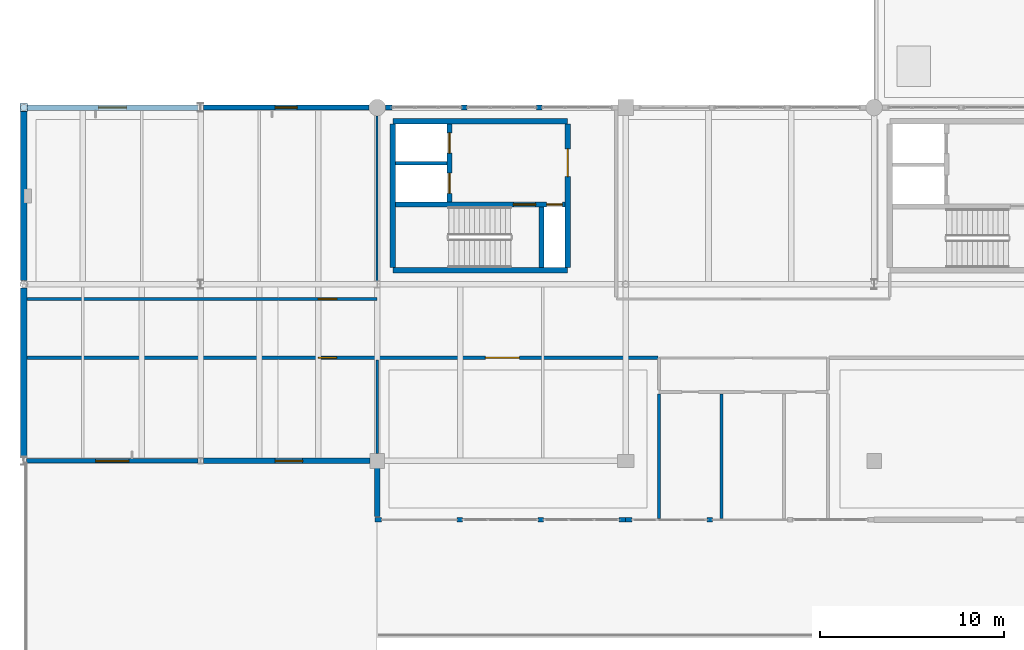
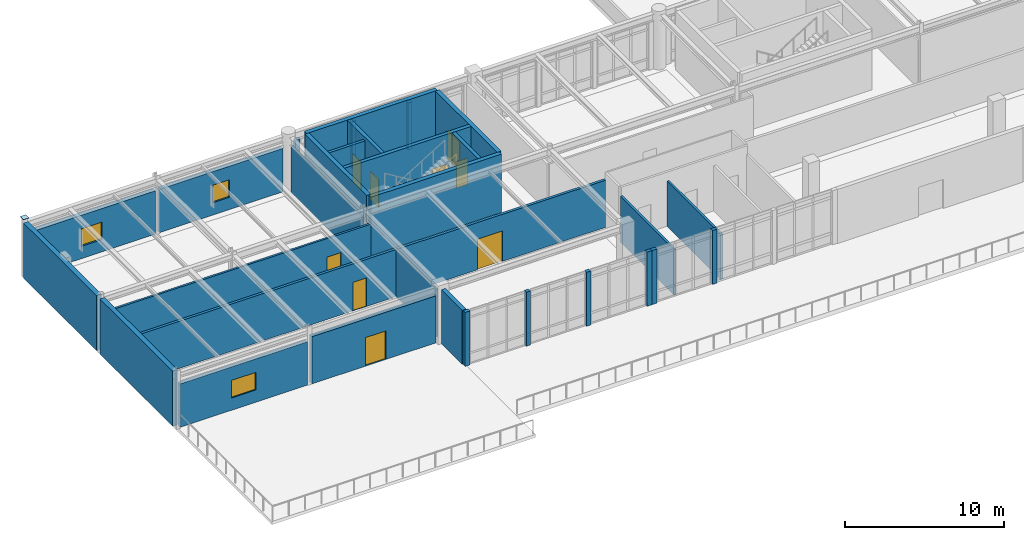
# One storey, part 47 of 55: 30 walls, 9 doors, 3 windows, 1 plate, 12 openings.
"""IFC4 building model written with IfcOpenShell, lengths in metres."""

from ifc_helpers import new_model, si_unit, direction, frame, frame_2d, origin, origin_2d, place, context, subcontext, project, spatial, rectangle, extrude, material, layer, layer_set, type_object, element, fill, save


model = new_model("IFC4")

# Units and contexts
model_context = context("Model", 3, precision=1e-05, world=origin(), true_north=direction((0.0, 1.0)))
body_context = subcontext(model_context, "Body", "Model", "MODEL_VIEW")
ifc_project = project(units=[si_unit("LENGTHUNIT", "METRE"), si_unit("AREAUNIT", "SQUARE_METRE"), si_unit("VOLUMEUNIT", "CUBIC_METRE"), si_unit("PLANEANGLEUNIT", "RADIAN"), si_unit("MASSUNIT", "GRAM", prefix="KILO")], contexts=[model_context])

# Site, building, storey
site_placement = place(None, origin())
site = spatial("IfcSite", under=ifc_project, at=site_placement, CompositionType="ELEMENT")
building_placement = place(site_placement, origin())
building = spatial("IfcBuilding", under=site, at=building_placement, Name="Fikremerkos Civic Library", CompositionType="ELEMENT")
storey_placement = place(building_placement, frame((0.0, 0.0, 18.89990234375)))
storey = spatial("IfcBuildingStorey", under=building, at=storey_placement, Name="L04", CompositionType="ELEMENT", Elevation=18.89990234375)

# Plate
ifc_material_1 = material(Name="Steel S355", Category="steel")
ifc_layer_1 = layer(ifc_material_1, 0.02490234375, Name="Steel S355")
ifc_layer_set_1 = layer_set([ifc_layer_1], Name="Steel S355")
plate_type = type_object("IfcPlateType", Name="Steel gusset cap plate GSP-04 420x420x25", PredefinedType="USERDEFINED", material=ifc_layer_set_1)
plate_placement = place(storey_placement, frame((0.0, 31.199951171875, 4.500244140625), z_axis=(0.0, 0.0, 1.0), x_axis=(1.0, 0.0, 0.0)))
element("IfcPlate", 1, at=plate_placement, inside=storey, type_object=plate_type, Name="Steel gusset cap plate GSP-04 #68", ObjectType="GUSSET PLATE", PredefinedType="USERDEFINED", context=body_context, shape_type="SweptSolid", body=[
    extrude(rectangle(XDim=0.419921875, YDim=0.419921875, at=origin_2d()), origin(), (0.0, 0.0, 1.0), 0.02490234375),
])

# Walls
ifc_material_2 = material(Name="Concrete C40/50", Category="concrete")
ifc_layer_2 = layer(ifc_material_2, 0.300048828125, Name="Concrete C40/50")
ifc_layer_set_2 = layer_set([ifc_layer_2], Name="Concrete C40/50")
wall_type_1 = type_object("IfcWallType", Name="Core shear wall CSW-01 300", PredefinedType="SHEAR", material=ifc_layer_set_2)
for number, where, z_axis, x_axis, name in (
    (2, (29.550048828125, 22.35009765625, 0.0), (0.0, 0.0, 1.0), (-1.0, 0.0, 0.0), "Core K1 south shear wall L04"),
    (3, (20.050048828125, 30.449951171875, 0.0), (0.0, 0.0, 1.0), (1.0, 0.0, 0.0), "Core K1 north shear wall L04"),
):
    element("IfcWall", number, at=place(storey_placement, frame(where, z_axis=z_axis, x_axis=x_axis)), inside=storey, type_object=wall_type_1, Name=name, PredefinedType="SHEAR", context=body_context, shape_type="SweptSolid", body=[
        extrude(rectangle(XDim=9.5, YDim=0.300048828125, at=frame_2d((4.75, 0.0))), origin(), (0.0, 0.0, 1.0), 4.5),
    ])
wall_1_placement = place(storey_placement, frame((20.050048828125, 22.501953125, 0.0), z_axis=(0.0, 0.0, 1.0), x_axis=(0.0, 1.0, 0.0)))
element("IfcWall", 4, at=wall_1_placement, inside=storey, type_object=wall_type_1, Name="Core K1 west shear wall L04", PredefinedType="SHEAR", context=body_context, shape_type="SweptSolid", body=[
    extrude(rectangle(XDim=7.796142578125, YDim=0.300048828125, at=frame_2d((3.89794921875, 0.0))), origin(), (0.0, 0.0, 1.0), 4.5),
])

# Wall, opening, door
wall_2_placement = place(storey_placement, frame((29.550048828125, 30.298095703125, 0.0), z_axis=(0.0, 0.0, 1.0), x_axis=(0.0, -1.0, 0.0)))
wall_2 = element("IfcWall", 5, at=wall_2_placement, inside=storey, type_object=wall_type_1, Name="Core K1 east shear wall L04", PredefinedType="SHEAR", context=body_context, shape_type="SweptSolid", body=[
    extrude(rectangle(XDim=7.796142578125, YDim=0.300048828125, at=frame_2d((3.89794921875, 0.0))), origin(), (0.0, 0.0, 1.0), 4.5),
])
opening_1_placement = place(wall_2_placement, frame((1.347900390625, 0.0, 0.0)))
opening_1 = element("IfcOpeningElement", 6, at=opening_1_placement, cuts=wall_2, Name="Opening D047", PredefinedType="OPENING", context=body_context, shape_type="SweptSolid", body=[
    extrude(rectangle(XDim=1.5, YDim=2.25, at=frame_2d((0.75, 1.125))), frame((0.0, 0.159912109375, 0.0), z_axis=(0.0, -1.0, 0.0), x_axis=(1.0, 0.0, 0.0)), (0.0, 0.0, 1.0), 0.320068359375),
])
ifc_material_3 = material(Name="Hardwood timber and acoustic glass", Category="wood")
door_type_1 = type_object("IfcDoorType", Name="Pedestrian door DT-05 1500x2250", OperationType="NOTDEFINED", PredefinedType="DOOR", material=ifc_material_3)
door_1_placement = place(opening_1_placement, origin())
door_1 = element("IfcDoor", 7, at=door_1_placement, inside=storey, type_object=door_type_1, Name="Core K1 lobby fire door D047 L04", OperationType="SINGLE_SWING_RIGHT", OverallHeight=2.25, OverallWidth=1.5, PredefinedType="DOOR", context=body_context, shape_type="SweptSolid", body=[
    extrude(rectangle(XDim=1.5, YDim=2.25, at=frame_2d((0.75, 1.125))), frame((0.0, 0.032470703125, 0.0), z_axis=(0.0, -1.0, 0.0), x_axis=(1.0, 0.0, 0.0)), (0.0, 0.0, 1.0), 0.06494140625),
])
fill(opening_1, door_1)

# Wall, openings, doors
ifc_layer_3 = layer(ifc_material_2, 0.260009765625, Name="Concrete C40/50")
ifc_layer_set_3 = layer_set([ifc_layer_3], Name="Concrete C40/50")
wall_type_2 = type_object("IfcWallType", Name="Core shear wall CSW-02 260", PredefinedType="SHEAR", material=ifc_layer_set_3)
wall_3_placement = place(storey_placement, frame((20.201904296875, 25.929931640625, 0.0), z_axis=(0.0, 0.0, 1.0), x_axis=(1.0, 0.0, 0.0)))
wall_3 = element("IfcWall", 8, at=wall_3_placement, inside=storey, type_object=wall_type_2, Name="Core K1 stair compartment wall L04", PredefinedType="SHEAR", context=body_context, shape_type="SweptSolid", body=[
    extrude(rectangle(XDim=9.196044921875, YDim=0.260009765625, at=frame_2d((4.59814453125, 0.0))), origin(), (0.0, 0.0, 1.0), 4.5),
])
opening_2_placement = place(wall_3_placement, frame((6.39794921875, 0.0, 0.0)))
opening_2 = element("IfcOpeningElement", 9, at=opening_2_placement, cuts=wall_3, Name="Opening D048", PredefinedType="OPENING", context=body_context, shape_type="SweptSolid", body=[
    extrude(rectangle(XDim=1.199951171875, YDim=2.199951171875, at=frame_2d((0.60009765625, 1.10009765625))), frame((0.0, 0.139892578125, 0.0), z_axis=(0.0, -1.0, 0.0), x_axis=(1.0, 0.0, 0.0)), (0.0, 0.0, 1.0), 0.280029296875),
])
opening_3_placement = place(wall_3_placement, frame((8.202880859375, 0.0, 0.0)))
opening_3 = element("IfcOpeningElement", 10, at=opening_3_placement, cuts=wall_3, Name="Opening D049", PredefinedType="OPENING", context=body_context, shape_type="SweptSolid", body=[
    extrude(rectangle(XDim=0.85009765625, YDim=2.050048828125, at=frame_2d((0.425048828125, 1.02490234375))), frame((0.0, 0.139892578125, 0.0), z_axis=(0.0, -1.0, 0.0), x_axis=(1.0, 0.0, 0.0)), (0.0, 0.0, 1.0), 0.280029296875),
])
door_type_2 = type_object("IfcDoorType", Name="Pedestrian door DT-06 1200x2200", OperationType="NOTDEFINED", PredefinedType="DOOR", material=ifc_material_3)
door_2_placement = place(opening_2_placement, origin())
door_2 = element("IfcDoor", 11, at=door_2_placement, inside=storey, type_object=door_type_2, Name="Core K1 stair fire door D048 L04", OperationType="SINGLE_SWING_RIGHT", OverallHeight=2.199951171875, OverallWidth=1.199951171875, PredefinedType="DOOR", context=body_context, shape_type="SweptSolid", body=[
    extrude(rectangle(XDim=1.199951171875, YDim=2.199951171875, at=frame_2d((0.60009765625, 1.10009765625))), frame((0.0, 0.032470703125, 0.0), z_axis=(0.0, -1.0, 0.0), x_axis=(1.0, 0.0, 0.0)), (0.0, 0.0, 1.0), 0.06494140625),
])
fill(opening_2, door_2)
door_type_3 = type_object("IfcDoorType", Name="Pedestrian door DT-08 850x2050", OperationType="NOTDEFINED", PredefinedType="DOOR", material=ifc_material_3)
door_3_placement = place(opening_3_placement, origin())
door_3 = element("IfcDoor", 12, at=door_3_placement, inside=storey, type_object=door_type_3, Name="Core K1 riser access fire door D049 L04", OperationType="SINGLE_SWING_LEFT", OverallHeight=2.050048828125, OverallWidth=0.85009765625, PredefinedType="DOOR", context=body_context, shape_type="SweptSolid", body=[
    extrude(rectangle(XDim=0.85009765625, YDim=2.050048828125, at=frame_2d((0.425048828125, 1.02490234375))), frame((0.0, 0.032470703125, 0.0), z_axis=(0.0, -1.0, 0.0), x_axis=(1.0, 0.0, 0.0)), (0.0, 0.0, 1.0), 0.06494140625),
])
fill(opening_3, door_3)

# Wall
wall_4_placement = place(storey_placement, frame((28.1298828125, 22.501953125, 0.0), z_axis=(0.0, 0.0, 1.0), x_axis=(0.0, 1.0, 0.0)))
element("IfcWall", 13, at=wall_4_placement, inside=storey, type_object=wall_type_2, Name="Core K1 stair-riser shear wall L04", PredefinedType="SHEAR", context=body_context, shape_type="SweptSolid", body=[
    extrude(rectangle(XDim=3.296142578125, YDim=0.260009765625, at=frame_2d((1.64794921875, 0.0))), origin(), (0.0, 0.0, 1.0), 4.5),
])

# Wall, openings, doors
wall_5_placement = place(storey_placement, frame((23.1298828125, 26.06201171875, 0.0), z_axis=(0.0, 0.0, 1.0), x_axis=(0.0, 1.0, 0.0)))
wall_5 = element("IfcWall", 14, at=wall_5_placement, inside=storey, type_object=wall_type_2, Name="Core K1 lift shaft front wall L04", PredefinedType="SHEAR", context=body_context, shape_type="SweptSolid", body=[
    extrude(rectangle(XDim=4.236083984375, YDim=0.260009765625, at=frame_2d((2.1181640625, 0.0))), origin(), (0.0, 0.0, 1.0), 4.5),
])
opening_4_placement = place(wall_5_placement, frame((0.468017578125, 0.0, 0.0)))
opening_4 = element("IfcOpeningElement", 15, at=opening_4_placement, cuts=wall_5, Name="Opening LD13", PredefinedType="OPENING", context=body_context, shape_type="SweptSolid", body=[
    extrude(rectangle(XDim=1.10009765625, YDim=2.14990234375, at=frame_2d((0.550048828125, 1.074951171875))), frame((0.0, 0.139892578125, 0.0), z_axis=(0.0, -1.0, 0.0), x_axis=(1.0, 0.0, 0.0)), (0.0, 0.0, 1.0), 0.280029296875),
])
opening_5_placement = place(wall_5_placement, frame((2.66796875, 0.0, 0.0)))
opening_5 = element("IfcOpeningElement", 16, at=opening_5_placement, cuts=wall_5, Name="Opening LD14", PredefinedType="OPENING", context=body_context, shape_type="SweptSolid", body=[
    extrude(rectangle(XDim=1.10009765625, YDim=2.14990234375, at=frame_2d((0.550048828125, 1.074951171875))), frame((0.0, 0.139892578125, 0.0), z_axis=(0.0, -1.0, 0.0), x_axis=(1.0, 0.0, 0.0)), (0.0, 0.0, 1.0), 0.280029296875),
])
ifc_material_4 = material(Name="Brushed stainless steel", Category="steel")
door_type_4 = type_object("IfcDoorType", Name="Lift landing door LDT-01 1100x2150", OperationType="NOTDEFINED", PredefinedType="DOOR", material=ifc_material_4)
door_4_placement = place(opening_4_placement, origin())
door_4 = element("IfcDoor", 17, at=door_4_placement, inside=storey, type_object=door_type_4, Name="Lift LF01 sliding landing door LD13 L04", OperationType="SLIDING_TO_LEFT", OverallHeight=2.14990234375, OverallWidth=1.10009765625, PredefinedType="DOOR", context=body_context, shape_type="SweptSolid", body=[
    extrude(rectangle(XDim=1.10009765625, YDim=2.14990234375, at=frame_2d((0.550048828125, 1.074951171875))), frame((0.0, 0.032470703125, 0.0), z_axis=(0.0, -1.0, 0.0), x_axis=(1.0, 0.0, 0.0)), (0.0, 0.0, 1.0), 0.06494140625),
])
fill(opening_4, door_4)
door_5_placement = place(opening_5_placement, origin())
door_5 = element("IfcDoor", 18, at=door_5_placement, inside=storey, type_object=door_type_4, Name="Lift LF02 sliding landing door LD14 L04", OperationType="SLIDING_TO_LEFT", OverallHeight=2.14990234375, OverallWidth=1.10009765625, PredefinedType="DOOR", context=body_context, shape_type="SweptSolid", body=[
    extrude(rectangle(XDim=1.10009765625, YDim=2.14990234375, at=frame_2d((0.550048828125, 1.074951171875))), frame((0.0, 0.032470703125, 0.0), z_axis=(0.0, -1.0, 0.0), x_axis=(1.0, 0.0, 0.0)), (0.0, 0.0, 1.0), 0.06494140625),
])
fill(opening_5, door_5)

# Walls
ifc_layer_4 = layer(ifc_material_2, 0.35009765625, Name="Concrete C40/50")
ifc_layer_set_4 = layer_set([ifc_layer_4], Name="Concrete C40/50")
wall_type_3 = type_object("IfcWallType", Name="Exterior solid wall ESW-01 350", PredefinedType="SOLIDWALL", material=ifc_layer_set_4)
wall_6_placement = place(storey_placement, frame((0.0, 12.218017578125, 0.0), z_axis=(0.0, 0.0, 1.0), x_axis=(0.0, 1.0, 0.0)))
element("IfcWall", 19, at=wall_6_placement, inside=storey, type_object=wall_type_3, Name="Party boundary wall ESW-01 L04 #635", PredefinedType="SOLIDWALL", context=body_context, shape_type="SweptSolid", body=[
    extrude(rectangle(XDim=9.1806640625, YDim=0.35009765625, at=frame_2d((4.59033203125, 0.0))), origin(), (0.0, 0.0, 1.0), 4.239990234375),
])
wall_7_placement = place(storey_placement, frame((0.0, 21.80126953125, 0.0), z_axis=(0.0, 0.0, 1.0), x_axis=(0.0, 1.0, 0.0)))
element("IfcWall", 20, at=wall_7_placement, inside=storey, type_object=wall_type_3, Name="Party boundary wall ESW-01 L04 #636", PredefinedType="SOLIDWALL", context=body_context, shape_type="SweptSolid", body=[
    extrude(rectangle(XDim=9.222900390625, YDim=0.35009765625, at=frame_2d((4.611328125, 0.0))), origin(), (0.0, 0.0, 1.0), 4.239990234375),
])
ifc_material_5 = material(Name="Precast concrete C40/50", Category="concrete")
ifc_layer_5 = layer(ifc_material_5, 0.300048828125, Name="Precast concrete C40/50")
ifc_layer_set_5 = layer_set([ifc_layer_5], Name="Precast concrete C40/50")
wall_type_4 = type_object("IfcWallType", Name="Exterior solid wall ESW-03 300", PredefinedType="SOLIDWALL", material=ifc_layer_set_5)
wall_8_placement = place(storey_placement, frame((19.199951171875, 8.97998046875, 0.0), z_axis=(0.0, 0.0, 1.0), x_axis=(0.0, 1.0, 0.0)))
element("IfcWall", 21, at=wall_8_placement, inside=storey, type_object=wall_type_4, Name="Exterior solid wall ESW-03 L04 #632", PredefinedType="SOLIDWALL", context=body_context, shape_type="SweptSolid", body=[
    extrude(rectangle(XDim=2.6220703125, YDim=0.300048828125, at=frame_2d((1.31103515625, 0.0))), origin(), (0.0, 0.0, 1.0), 4.16015625),
])

# Wall, opening, door
wall_9_placement = place(storey_placement, frame((18.802001953125, 12.0, 0.0), z_axis=(0.0, 0.0, 1.0), x_axis=(-1.0, 0.0, 0.0)))
wall_9 = element("IfcWall", 22, at=wall_9_placement, inside=storey, type_object=wall_type_4, Name="Terrace threshold wall ESW-03 L04 #633", PredefinedType="SOLIDWALL", context=body_context, shape_type="SweptSolid", body=[
    extrude(rectangle(XDim=9.053955078125, YDim=0.300048828125, at=frame_2d((4.52685546875, 0.0))), origin(), (0.0, 0.0, 1.0), 3.630126953125),
])
opening_6_placement = place(wall_9_placement, frame((3.652099609375, 0.0, 0.0)))
opening_6 = element("IfcOpeningElement", 23, at=opening_6_placement, cuts=wall_9, Name="Opening D028", PredefinedType="OPENING", context=body_context, shape_type="SweptSolid", body=[
    extrude(rectangle(XDim=1.5, YDim=2.199951171875, at=frame_2d((0.75, 1.10009765625))), frame((0.0, 0.159912109375, 0.0), z_axis=(0.0, -1.0, 0.0), x_axis=(1.0, 0.0, 0.0)), (0.0, 0.0, 1.0), 0.320068359375),
])
ifc_material_6 = material(Name="Thermally broken bronze aluminium and glass", Category="aluminium")
door_type_5 = type_object("IfcDoorType", Name="Pedestrian door DT-13 1500x2200", OperationType="NOTDEFINED", PredefinedType="DOOR", material=ifc_material_6)
door_6_placement = place(opening_6_placement, origin())
door_6 = element("IfcDoor", 24, at=door_6_placement, inside=storey, type_object=door_type_5, Name="Reading terrace access door D028 L04", OperationType="SINGLE_SWING_RIGHT", OverallHeight=2.199951171875, OverallWidth=1.5, PredefinedType="DOOR", context=body_context, shape_type="SweptSolid", body=[
    extrude(rectangle(XDim=1.5, YDim=2.199951171875, at=frame_2d((0.75, 1.10009765625))), frame((0.0, 0.032470703125, 0.0), z_axis=(0.0, -1.0, 0.0), x_axis=(1.0, 0.0, 0.0)), (0.0, 0.0, 1.0), 0.06494140625),
])
fill(opening_6, door_6)

# Wall, opening, window
wall_10_placement = place(storey_placement, frame((0.17578125, 31.199951171875, 0.0), z_axis=(0.0, 0.0, 1.0), x_axis=(1.0, 0.0, 0.0)))
wall_10 = element("IfcWall", 25, at=wall_10_placement, inside=storey, type_object=wall_type_4, Name="Exterior solid wall ESW-03 L04 #637", PredefinedType="SOLIDWALL", context=body_context, shape_type="SweptSolid", body=[
    extrude(rectangle(XDim=9.276123046875, YDim=0.300048828125, at=frame_2d((4.63818359375, 0.0))), origin(), (0.0, 0.0, 1.0), 3.340087890625),
])
opening_7_placement = place(wall_10_placement, frame((3.88818359375, 0.0, 0.949951171875)))
opening_7 = element("IfcOpeningElement", 26, at=opening_7_placement, cuts=wall_10, Name="Opening CWND-10", PredefinedType="OPENING", context=body_context, shape_type="SweptSolid", body=[
    extrude(rectangle(XDim=1.5, YDim=1.35009765625, at=frame_2d((0.75, 0.675048828125))), frame((0.0, 0.159912109375, 0.0), z_axis=(0.0, -1.0, 0.0), x_axis=(1.0, 0.0, 0.0)), (0.0, 0.0, 1.0), 0.320068359375),
])
ifc_material_7 = material(Name="Solar control double glazing", Category="glass")
window_type_1 = type_object("IfcWindowType", Name="Courtyard window CWND-10 1500x1350", PartitioningType="SINGLE_PANEL", PredefinedType="WINDOW", material=ifc_material_7)
window_1_placement = place(opening_7_placement, origin())
window_1 = element("IfcWindow", 27, at=window_1_placement, inside=storey, type_object=window_type_1, Name="Courtyard window CWND-10 L04 #42", OverallHeight=1.35009765625, OverallWidth=1.5, PartitioningType="SINGLE_PANEL", PredefinedType="WINDOW", context=body_context, shape_type="SweptSolid", body=[
    extrude(rectangle(XDim=1.5, YDim=1.35009765625, at=frame_2d((0.75, 0.675048828125))), frame((0.0, 0.032470703125, 0.0), z_axis=(0.0, -1.0, 0.0), x_axis=(1.0, 0.0, 0.0)), (0.0, 0.0, 1.0), 0.06494140625),
])
fill(opening_7, window_1)

ifc_layer_6 = layer(ifc_material_5, 0.280029296875, Name="Precast concrete C40/50")
ifc_layer_set_6 = layer_set([ifc_layer_6], Name="Precast concrete C40/50")
wall_type_5 = type_object("IfcWallType", Name="Exterior solid wall ESW-04 280", PredefinedType="SOLIDWALL", material=ifc_layer_set_6)
wall_11_placement = place(storey_placement, frame((9.748046875, 31.199951171875, 0.0), z_axis=(0.0, 0.0, 1.0), x_axis=(1.0, 0.0, 0.0)))
wall_11 = element("IfcWall", 28, at=wall_11_placement, inside=storey, type_object=wall_type_5, Name="Exterior solid wall ESW-04 L04 #638", PredefinedType="SOLIDWALL", context=body_context, shape_type="SweptSolid", body=[
    extrude(rectangle(XDim=9.00390625, YDim=0.280029296875, at=frame_2d((4.501953125, 0.0))), origin(), (0.0, 0.0, 1.0), 3.340087890625),
])
opening_8_placement = place(wall_11_placement, frame((3.902099609375, 0.0, 0.949951171875)))
opening_8 = element("IfcOpeningElement", 29, at=opening_8_placement, cuts=wall_11, Name="Opening CWND-11", PredefinedType="OPENING", context=body_context, shape_type="SweptSolid", body=[
    extrude(rectangle(XDim=1.199951171875, YDim=1.35009765625, at=frame_2d((0.60009765625, 0.675048828125))), frame((0.0, 0.14990234375, 0.0), z_axis=(0.0, -1.0, 0.0), x_axis=(1.0, 0.0, 0.0)), (0.0, 0.0, 1.0), 0.300048828125),
])
window_type_2 = type_object("IfcWindowType", Name="Courtyard window CWND-11 1200x1350", PartitioningType="SINGLE_PANEL", PredefinedType="WINDOW", material=ifc_material_7)
window_2_placement = place(opening_8_placement, origin())
window_2 = element("IfcWindow", 30, at=window_2_placement, inside=storey, type_object=window_type_2, Name="Courtyard window CWND-11 L04 #43", OverallHeight=1.35009765625, OverallWidth=1.199951171875, PartitioningType="SINGLE_PANEL", PredefinedType="WINDOW", context=body_context, shape_type="SweptSolid", body=[
    extrude(rectangle(XDim=1.199951171875, YDim=1.35009765625, at=frame_2d((0.60009765625, 0.675048828125))), frame((0.0, 0.032470703125, 0.0), z_axis=(0.0, -1.0, 0.0), x_axis=(1.0, 0.0, 0.0)), (0.0, 0.0, 1.0), 0.06494140625),
])
fill(opening_8, window_2)

# Walls
ifc_layer_7 = layer(ifc_material_5, 0.25, Name="Precast concrete C40/50")
ifc_layer_set_7 = layer_set([ifc_layer_7], Name="Precast concrete C40/50")
wall_type_6 = type_object("IfcWallType", Name="Exterior solid wall ESW-05 250", PredefinedType="SOLIDWALL", material=ifc_layer_set_7)
wall_12_placement = place(storey_placement, frame((33.052001953125, 8.800048828125, 0.0), z_axis=(0.0, 0.0, 1.0), x_axis=(-1.0, 0.0, 0.0)))
element("IfcWall", 31, at=wall_12_placement, inside=storey, type_object=wall_type_6, Name="Exterior facade pier ESW-05 #625", PredefinedType="SOLIDWALL", context=body_context, shape_type="SweptSolid", body=[
    extrude(rectangle(XDim=0.35009765625, YDim=0.25, at=frame_2d((0.175048828125, 0.0))), origin(), (0.0, 0.0, 1.0), 4.16015625),
])
wall_13_placement = place(storey_placement, frame((37.417236328125, 8.800048828125, 0.0), z_axis=(0.0, 0.0, 1.0), x_axis=(-1.0, 0.0, 0.0)))
element("IfcWall", 32, at=wall_13_placement, inside=storey, type_object=wall_type_6, Name="Exterior facade mullion pier ESW-05 #627", PredefinedType="SOLIDWALL", context=body_context, shape_type="SweptSolid", body=[
    extrude(rectangle(XDim=0.2998046875, YDim=0.25, at=frame_2d((0.14990234375, 0.0))), origin(), (0.0, 0.0, 1.0), 4.16015625),
])
wall_14_placement = place(storey_placement, frame((32.697998046875, 8.800048828125, 0.0), z_axis=(0.0, 0.0, 1.0), x_axis=(-1.0, 0.0, 0.0)))
element("IfcWall", 33, at=wall_14_placement, inside=storey, type_object=wall_type_6, Name="Exterior facade pier ESW-05 #628", PredefinedType="SOLIDWALL", context=body_context, shape_type="SweptSolid", body=[
    extrude(rectangle(XDim=0.35009765625, YDim=0.25, at=frame_2d((0.175048828125, 0.0))), origin(), (0.0, 0.0, 1.0), 4.16015625),
])
wall_15_placement = place(storey_placement, frame((19.43994140625, 8.800048828125, 0.0), z_axis=(0.0, 0.0, 1.0), x_axis=(-1.0, 0.0, 0.0)))
element("IfcWall", 34, at=wall_15_placement, inside=storey, type_object=wall_type_6, Name="Exterior facade pier ESW-05 #629", PredefinedType="SOLIDWALL", context=body_context, shape_type="SweptSolid", body=[
    extrude(rectangle(XDim=0.349853515625, YDim=0.25, at=frame_2d((0.1748046875, 0.0))), origin(), (0.0, 0.0, 1.0), 4.16015625),
])
for number, where, z_axis, x_axis, name in (
    (35, (28.245361328125, 8.800048828125, 0.0), (0.0, 0.0, 1.0), (-1.0, 0.0, 0.0), "Exterior facade mullion pier ESW-05 #630"),
    (36, (23.8427734375, 8.800048828125, 0.0), (0.0, 0.0, 1.0), (-1.0, 0.0, 0.0), "Exterior facade mullion pier ESW-05 #631"),
):
    element("IfcWall", number, at=place(storey_placement, frame(where, z_axis=z_axis, x_axis=x_axis)), inside=storey, type_object=wall_type_6, Name=name, PredefinedType="SOLIDWALL", context=body_context, shape_type="SweptSolid", body=[
        extrude(rectangle(XDim=0.300048828125, YDim=0.25, at=frame_2d((0.14990234375, 0.0))), origin(), (0.0, 0.0, 1.0), 4.16015625),
    ])

# Wall, opening, window
wall_16_placement = place(storey_placement, frame((9.451904296875, 12.0, 0.0), z_axis=(0.0, 0.0, 1.0), x_axis=(-1.0, 0.0, 0.0)))
wall_16 = element("IfcWall", 37, at=wall_16_placement, inside=storey, type_object=wall_type_6, Name="Exterior solid wall ESW-05 L04 #634", PredefinedType="SOLIDWALL", context=body_context, shape_type="SweptSolid", body=[
    extrude(rectangle(XDim=9.303955078125, YDim=0.25, at=frame_2d((4.65185546875, 0.0))), origin(), (0.0, 0.0, 1.0), 3.340087890625),
])
opening_9_placement = place(wall_16_placement, frame((3.751953125, 0.0, 0.949951171875)))
opening_9 = element("IfcOpeningElement", 38, at=opening_9_placement, cuts=wall_16, Name="Opening CWND-09", PredefinedType="OPENING", context=body_context, shape_type="SweptSolid", body=[
    extrude(rectangle(XDim=1.800048828125, YDim=1.35009765625, at=frame_2d((0.89990234375, 0.675048828125))), frame((0.0, 0.135009765625, 0.0), z_axis=(0.0, -1.0, 0.0), x_axis=(1.0, 0.0, 0.0)), (0.0, 0.0, 1.0), 0.27001953125),
])
window_type_3 = type_object("IfcWindowType", Name="Courtyard window CWND-09 1800x1350", PartitioningType="SINGLE_PANEL", PredefinedType="WINDOW", material=ifc_material_7)
window_3_placement = place(opening_9_placement, origin())
window_3 = element("IfcWindow", 39, at=window_3_placement, inside=storey, type_object=window_type_3, Name="Courtyard window CWND-09 L04 #41", OverallHeight=1.35009765625, OverallWidth=1.800048828125, PartitioningType="SINGLE_PANEL", PredefinedType="WINDOW", context=body_context, shape_type="SweptSolid", body=[
    extrude(rectangle(XDim=1.800048828125, YDim=1.35009765625, at=frame_2d((0.89990234375, 0.675048828125))), frame((0.0, 0.032470703125, 0.0), z_axis=(0.0, -1.0, 0.0), x_axis=(1.0, 0.0, 0.0)), (0.0, 0.0, 1.0), 0.06494140625),
])
fill(opening_9, window_3)

# Walls
wall_17_placement = place(storey_placement, frame((19.64794921875, 31.199951171875, 0.0), z_axis=(0.0, 0.0, 1.0), x_axis=(1.0, 0.0, 0.0)))
element("IfcWall", 40, at=wall_17_placement, inside=storey, type_object=wall_type_6, Name="Exterior facade pier ESW-05 #639", PredefinedType="SOLIDWALL", context=body_context, shape_type="SweptSolid", body=[
    extrude(rectangle(XDim=0.35009765625, YDim=0.25, at=frame_2d((0.175048828125, 0.0))), origin(), (0.0, 0.0, 1.0), 3.630126953125),
])
wall_18_placement = place(storey_placement, frame((23.7744140625, 31.199951171875, 0.0), z_axis=(0.0, 0.0, 1.0), x_axis=(1.0, 0.0, 0.0)))
element("IfcWall", 41, at=wall_18_placement, inside=storey, type_object=wall_type_6, Name="Exterior facade mullion pier ESW-05 #641", PredefinedType="SOLIDWALL", context=body_context, shape_type="SweptSolid", body=[
    extrude(rectangle(XDim=0.2998046875, YDim=0.25, at=frame_2d((0.14990234375, 0.0))), origin(), (0.0, 0.0, 1.0), 3.630126953125),
])
wall_19_placement = place(storey_placement, frame((27.8505859375, 31.199951171875, 0.0), z_axis=(0.0, 0.0, 1.0), x_axis=(1.0, 0.0, 0.0)))
element("IfcWall", 42, at=wall_19_placement, inside=storey, type_object=wall_type_6, Name="Exterior facade mullion pier ESW-05 #642", PredefinedType="SOLIDWALL", context=body_context, shape_type="SweptSolid", body=[
    extrude(rectangle(XDim=0.300048828125, YDim=0.25, at=frame_2d((0.14990234375, 0.0))), origin(), (0.0, 0.0, 1.0), 3.630126953125),
])

# Wall, openings, doors
ifc_material_8 = material(Name="Acoustic concrete blockwork", Category="masonry")
ifc_layer_8 = layer(ifc_material_8, 0.18994140625, Name="Acoustic concrete blockwork")
ifc_layer_set_8 = layer_set([ifc_layer_8], Name="Acoustic concrete blockwork")
wall_type_7 = type_object("IfcWallType", Name="Interior partition wall IPW-01 190", PredefinedType="PARTITIONING", material=ifc_layer_set_8)
wall_20_placement = place(storey_placement, frame((0.177978515625, 17.60009765625, 0.0), z_axis=(0.0, 0.0, 1.0), x_axis=(1.0, 0.0, 0.0)))
wall_20 = element("IfcWall", 43, at=wall_20_placement, inside=storey, type_object=wall_type_7, Name="Interior wall IPW-01 L04 #236", PredefinedType="PARTITIONING", context=body_context, shape_type="SweptSolid", body=[
    extrude(rectangle(XDim=34.27197265625, YDim=0.18994140625, at=frame_2d((17.135986328125, 0.0))), origin(), (0.0, 0.0, 1.0), 3.630126953125),
])
opening_10_placement = place(wall_20_placement, frame((15.822021484375, 0.0, 0.0)))
opening_10 = element("IfcOpeningElement", 44, at=opening_10_placement, cuts=wall_20, Name="Opening D245", PredefinedType="OPENING", context=body_context, shape_type="SweptSolid", body=[
    extrude(rectangle(XDim=1.0, YDim=2.199951171875, at=frame_2d((0.5, 1.10009765625))), frame((0.0, 0.10498046875, 0.0), z_axis=(0.0, -1.0, 0.0), x_axis=(1.0, 0.0, 0.0)), (0.0, 0.0, 1.0), 0.2099609375),
])
opening_11_placement = place(wall_20_placement, frame((24.89697265625, 0.0, 0.0)))
opening_11 = element("IfcOpeningElement", 45, at=opening_11_placement, cuts=wall_20, Name="Opening D247", PredefinedType="OPENING", context=body_context, shape_type="SweptSolid", body=[
    extrude(rectangle(XDim=1.85009765625, YDim=2.35009765625, at=frame_2d((0.925048828125, 1.175048828125))), frame((0.0, 0.10498046875, 0.0), z_axis=(0.0, -1.0, 0.0), x_axis=(1.0, 0.0, 0.0)), (0.0, 0.0, 1.0), 0.2099609375),
])
door_type_6 = type_object("IfcDoorType", Name="Pedestrian door DT-01 1000x2200", OperationType="NOTDEFINED", PredefinedType="DOOR", material=ifc_material_3)
door_7_placement = place(opening_10_placement, origin())
door_7 = element("IfcDoor", 46, at=door_7_placement, inside=storey, type_object=door_type_6, Name="Interior door D245 L04", OperationType="SINGLE_SWING_LEFT", OverallHeight=2.199951171875, OverallWidth=1.0, PredefinedType="DOOR", context=body_context, shape_type="SweptSolid", body=[
    extrude(rectangle(XDim=1.0, YDim=2.199951171875, at=frame_2d((0.5, 1.10009765625))), frame((0.0, 0.032470703125, 0.0), z_axis=(0.0, -1.0, 0.0), x_axis=(1.0, 0.0, 0.0)), (0.0, 0.0, 1.0), 0.06494140625),
])
fill(opening_10, door_7)
door_type_7 = type_object("IfcDoorType", Name="Pedestrian door DT-09 1850x2350", OperationType="NOTDEFINED", PredefinedType="DOOR", material=ifc_material_3)
door_8_placement = place(opening_11_placement, origin())
door_8 = element("IfcDoor", 47, at=door_8_placement, inside=storey, type_object=door_type_7, Name="Interior door D247 L04", OperationType="SINGLE_SWING_LEFT", OverallHeight=2.35009765625, OverallWidth=1.85009765625, PredefinedType="DOOR", context=body_context, shape_type="SweptSolid", body=[
    extrude(rectangle(XDim=1.85009765625, YDim=2.35009765625, at=frame_2d((0.925048828125, 1.175048828125))), frame((0.0, 0.032470703125, 0.0), z_axis=(0.0, -1.0, 0.0), x_axis=(1.0, 0.0, 0.0)), (0.0, 0.0, 1.0), 0.06494140625),
])
fill(opening_11, door_8)

# Wall, opening, door
ifc_material_9 = material(Name="Acoustic gypsum stud partition")
ifc_layer_9 = layer(ifc_material_9, 0.14990234375, Name="Acoustic gypsum stud partition")
ifc_layer_set_9 = layer_set([ifc_layer_9], Name="Acoustic gypsum stud partition")
wall_type_8 = type_object("IfcWallType", Name="Interior partition wall IPW-02 150", PredefinedType="PARTITIONING", material=ifc_layer_set_9)
wall_21_placement = place(storey_placement, frame((0.177978515625, 20.800048828125, 0.0), z_axis=(0.0, 0.0, 1.0), x_axis=(1.0, 0.0, 0.0)))
wall_21 = element("IfcWall", 48, at=wall_21_placement, inside=storey, type_object=wall_type_8, Name="Interior wall IPW-02 L04 #237", PredefinedType="PARTITIONING", context=body_context, shape_type="SweptSolid", body=[
    extrude(rectangle(XDim=19.02197265625, YDim=0.14990234375, at=frame_2d((9.510986328125, 0.0))), origin(), (0.0, 0.0, 1.0), 3.630126953125),
])
opening_12_placement = place(wall_21_placement, frame((15.822021484375, 0.0, 0.0)))
opening_12 = element("IfcOpeningElement", 49, at=opening_12_placement, cuts=wall_21, Name="Opening D246", PredefinedType="OPENING", context=body_context, shape_type="SweptSolid", body=[
    extrude(rectangle(XDim=1.0, YDim=2.199951171875, at=frame_2d((0.5, 1.10009765625))), frame((0.0, 0.0849609375, 0.0), z_axis=(0.0, -1.0, 0.0), x_axis=(1.0, 0.0, 0.0)), (0.0, 0.0, 1.0), 0.169921875),
])
door_9_placement = place(opening_12_placement, origin())
door_9 = element("IfcDoor", 50, at=door_9_placement, inside=storey, type_object=door_type_6, Name="Interior door D246 L04", OperationType="SINGLE_SWING_RIGHT", OverallHeight=2.199951171875, OverallWidth=1.0, PredefinedType="DOOR", context=body_context, shape_type="SweptSolid", body=[
    extrude(rectangle(XDim=1.0, YDim=2.199951171875, at=frame_2d((0.5, 1.10009765625))), frame((0.0, 0.032470703125, 0.0), z_axis=(0.0, -1.0, 0.0), x_axis=(1.0, 0.0, 0.0)), (0.0, 0.0, 1.0), 0.06494140625),
])
fill(opening_12, door_9)

# Walls
ifc_material_10 = material(Name="Gypsum metal stud partition")
ifc_layer_10 = layer(ifc_material_10, 0.1298828125, Name="Gypsum metal stud partition")
ifc_layer_set_10 = layer_set([ifc_layer_10], Name="Gypsum metal stud partition")
wall_type_9 = type_object("IfcWallType", Name="Interior partition wall IPW-03 130", PredefinedType="PARTITIONING", material=ifc_layer_set_10)
wall_22_placement = place(storey_placement, frame((19.199951171875, 12.403076171875, 0.0), z_axis=(0.0, 0.0, 1.0), x_axis=(0.0, 1.0, 0.0)))
element("IfcWall", 51, at=wall_22_placement, inside=storey, type_object=wall_type_9, Name="Interior wall IPW-03 L04 #242", PredefinedType="PARTITIONING", context=body_context, shape_type="SweptSolid", body=[
    extrude(rectangle(XDim=5.092041015625, YDim=0.1298828125, at=frame_2d((2.5458984375, 0.0))), origin(), (0.0, 0.0, 1.0), 3.68017578125),
])
ifc_material_11 = material(Name="Lightweight metal stud partition")
ifc_layer_11 = layer(ifc_material_11, 0.110107421875, Name="Lightweight metal stud partition")
ifc_layer_set_11 = layer_set([ifc_layer_11], Name="Lightweight metal stud partition")
wall_type_10 = type_object("IfcWallType", Name="Interior partition wall IPW-04 110", PredefinedType="PARTITIONING", material=ifc_layer_set_11)
wall_23_placement = place(storey_placement, frame((19.199951171875, 21.782958984375, 0.0), z_axis=(0.0, 0.0, 1.0), x_axis=(0.0, 1.0, 0.0)))
element("IfcWall", 52, at=wall_23_placement, inside=storey, type_object=wall_type_10, Name="Interior wall IPW-04 L04 #243", PredefinedType="PARTITIONING", context=body_context, shape_type="SweptSolid", body=[
    extrude(rectangle(XDim=8.964111328125, YDim=0.110107421875, at=frame_2d((4.48193359375, 0.0))), origin(), (0.0, 0.0, 1.0), 3.630126953125),
])
ifc_material_12 = material(Name="Concrete C35/45", Category="concrete")
ifc_layer_12 = layer(ifc_material_12, 0.199951171875, Name="Concrete C35/45")
ifc_layer_set_12 = layer_set([ifc_layer_12], Name="Concrete C35/45")
wall_type_11 = type_object("IfcWallType", Name="Service duct wall SDW-01 200", PredefinedType="PLUMBINGWALL", material=ifc_layer_set_12)
wall_24_placement = place(storey_placement, frame((20.201904296875, 28.179931640625, 0.0), z_axis=(0.0, 0.0, 1.0), x_axis=(1.0, 0.0, 0.0)))
element("IfcWall", 53, at=wall_24_placement, inside=storey, type_object=wall_type_11, Name="Core K1 inter-lift shaft wall L04", PredefinedType="PLUMBINGWALL", context=body_context, shape_type="SweptSolid", body=[
    extrude(rectangle(XDim=2.796142578125, YDim=0.199951171875, at=frame_2d((1.39794921875, 0.0))), origin(), (0.0, 0.0, 1.0), 4.239990234375),
])
ifc_material_13 = material(Name="Aerated concrete blockwork", Category="masonry")
ifc_layer_13 = layer(ifc_material_13, 0.159912109375, Name="Aerated concrete blockwork")
ifc_layer_set_13 = layer_set([ifc_layer_13], Name="Aerated concrete blockwork")
wall_type_12 = type_object("IfcWallType", Name="Service duct wall SDW-02 160", PredefinedType="PLUMBINGWALL", material=ifc_layer_set_13)
wall_25_placement = place(storey_placement, frame((34.5, 8.883056640625, 0.0), z_axis=(0.0, 0.0, 1.0), x_axis=(0.0, 1.0, 0.0)))
element("IfcWall", 54, at=wall_25_placement, inside=storey, type_object=wall_type_12, Name="Interior wall SDW-02 L04 #230", PredefinedType="PLUMBINGWALL", context=body_context, shape_type="SweptSolid", body=[
    extrude(rectangle(XDim=6.761962890625, YDim=0.159912109375, at=frame_2d((3.380859375, 0.0))), origin(), (0.0, 0.0, 1.0), 3.525146484375),
])
wall_26_placement = place(storey_placement, frame((37.89990234375, 8.883056640625, 0.0), z_axis=(0.0, 0.0, 1.0), x_axis=(0.0, 1.0, 0.0)))
element("IfcWall", 55, at=wall_26_placement, inside=storey, type_object=wall_type_12, Name="Interior wall SDW-02 L04 #232", PredefinedType="PLUMBINGWALL", context=body_context, shape_type="SweptSolid", body=[
    extrude(rectangle(XDim=6.761962890625, YDim=0.159912109375, at=frame_2d((3.380859375, 0.0))), origin(), (0.0, 0.0, 1.0), 3.5),
])

save(model, "model.ifc")
